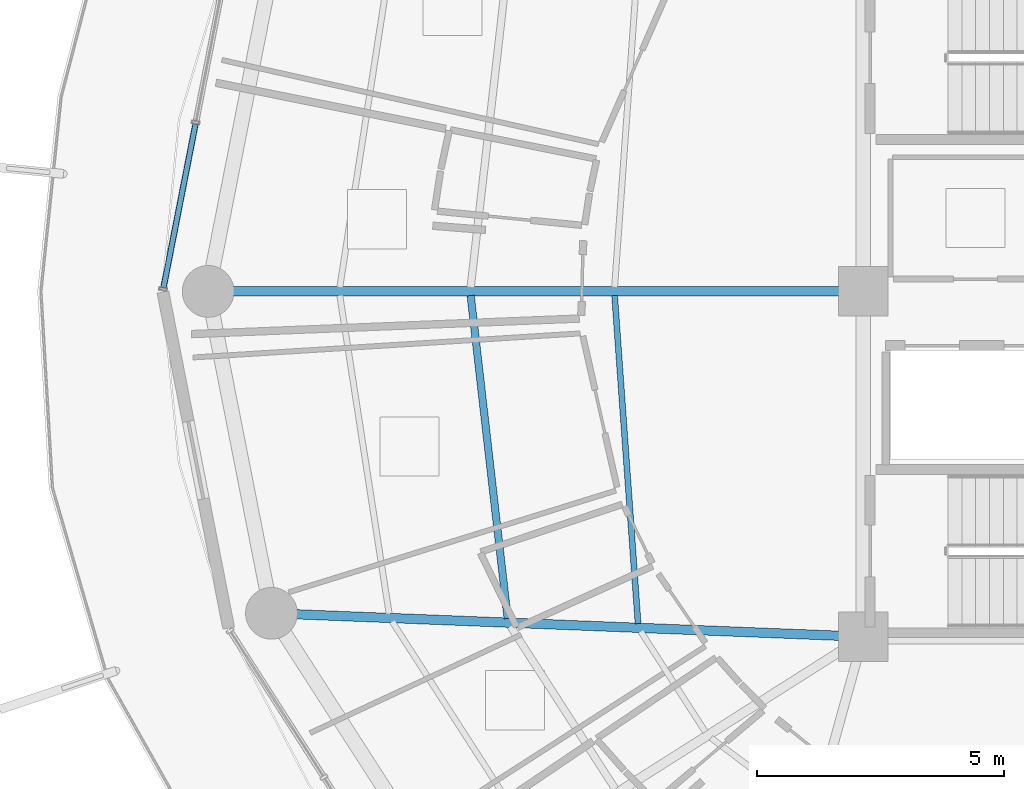
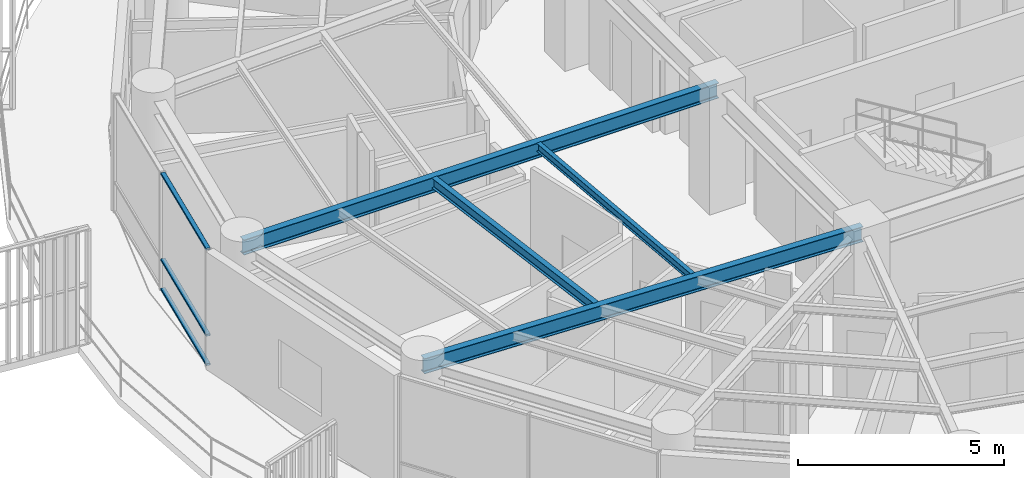
# One storey, part 7 of 31: 4 beams, 3 members, 1 element without a shape of its own.
"""IFC4 building model written with IfcOpenShell, lengths in metres."""

import ifcopenshell
import ifcopenshell.guid

model = None  # the IFC model being written
_history = None  # IfcOwnerHistory: only IFC2X3 demands one
_inside = {}  # id of a spatial element -> (the spatial element, [elements in it])
_under = {}  # id of a project, library or spatial element -> (it, [spatial elements below it])
_declared = {}  # id of a project -> (the project, [libraries it declares])
_typed = {}  # id of a type object -> (the type object, [elements of that type])
_made_of = {}  # id of a material, layer set ... -> (it, [elements and type objects made of it])


def new_model(schema):
    """Start an empty IFC model of exactly this schema.

    Asked for "IFC4X3", IfcOpenShell would pick the latest addendum, in which some entities
    have other attributes; the version numbers below select the first issue.
    IFC2X3 requires an IfcOwnerHistory on every rooted entity: one is made here for all.
    """
    global model, _history
    if schema == "IFC4X3":
        model = ifcopenshell.file(schema_version=(4, 3, 0, 0))
    else:
        model = ifcopenshell.file(schema=schema)
    _inside.clear()
    _under.clear()
    _declared.clear()
    _typed.clear()
    _made_of.clear()
    _history = None
    if model.schema == "IFC2X3":
        org = make("IfcOrganization", Name="unknown")
        user = make(
            "IfcPersonAndOrganization",
            ThePerson=make("IfcPerson", FamilyName="unknown"),
            TheOrganization=org,
        )
        app = make(
            "IfcApplication",
            ApplicationDeveloper=org,
            Version="unknown",
            ApplicationFullName="unknown",
            ApplicationIdentifier="unknown",
        )
        _history = make(
            "IfcOwnerHistory",
            OwningUser=user,
            OwningApplication=app,
            ChangeAction="ADDED",
            CreationDate=0,
        )
    return model


def make(cls, **values):
    """One entity of the class cls with the attributes given. An attribute that is None is left unset."""
    return model.create_entity(
        cls, **{name: value for name, value in values.items() if value is not None}
    )


def rooted(cls, **values):
    """An entity with a GlobalId (a new one), such as an element, a storey or a relation."""
    return make(cls, GlobalId=ifcopenshell.guid.new(), OwnerHistory=_history, **values)


def si_unit(unit_type, name, prefix=None):
    """IfcSIUnit, for example si_unit("LENGTHUNIT", "METRE", prefix="MILLI")."""
    return make("IfcSIUnit", UnitType=unit_type, Prefix=prefix, Name=name)


def assignment(units):
    """IfcUnitAssignment: the units of a project."""
    return None if units is None else make("IfcUnitAssignment", Units=units)


def point(xyz):
    """IfcCartesianPoint."""
    return None if xyz is None else make("IfcCartesianPoint", Coordinates=xyz)


def direction(xyz):
    """IfcDirection."""
    return None if xyz is None else make("IfcDirection", DirectionRatios=xyz)


def frame(location, z_axis=None, x_axis=None):
    """IfcAxis2Placement3D, a coordinate frame: its origin and axes. An axis left out is left unset."""
    return make(
        "IfcAxis2Placement3D",
        Location=point(location),
        Axis=direction(z_axis),
        RefDirection=direction(x_axis),
    )


def frame_2d(location, x_axis=None):
    """IfcAxis2Placement2D, a coordinate frame in the plane: its origin and x axis."""
    return make(
        "IfcAxis2Placement2D", Location=point(location), RefDirection=direction(x_axis)
    )


def origin():
    """The frame at (0, 0, 0) with its axes left unset."""
    return frame((0.0, 0.0, 0.0))


def origin_2d():
    """The frame at (0, 0) in the plane with its x axis left unset."""
    return frame_2d((0.0, 0.0))


def place(relative_to, where):
    """IfcLocalPlacement: puts the frame where relative to a parent placement (None: the world)."""
    return make(
        "IfcLocalPlacement", PlacementRelTo=relative_to, RelativePlacement=where
    )


def context(
    kind, dimensions, precision=None, world=None, true_north=None, identifier=None
):
    """IfcGeometricRepresentationContext, for example the 3D "Model" context."""
    return make(
        "IfcGeometricRepresentationContext",
        ContextIdentifier=identifier,
        ContextType=kind,
        CoordinateSpaceDimension=dimensions,
        Precision=precision,
        WorldCoordinateSystem=world,
        TrueNorth=true_north,
    )


def subcontext(parent, identifier, kind, view, scale=None):
    """IfcGeometricRepresentationSubContext, for example "Body" below "Model"."""
    return make(
        "IfcGeometricRepresentationSubContext",
        ContextIdentifier=identifier,
        ContextType=kind,
        ParentContext=parent,
        TargetScale=scale,
        TargetView=view,
    )


def project(units=None, contexts=None):
    """IfcProject with its units and contexts."""
    return rooted(
        "IfcProject",
        Name="project",
        RepresentationContexts=contexts,
        UnitsInContext=assignment(units),
    )


def spatial(cls, under=None, at=None, **own):
    """A site, building, storey or space (cls), placed at a placement, below another one or the project."""
    s = rooted(cls, ObjectPlacement=at, **own)
    if under is not None:
        _under.setdefault(under.id(), (under, []))[1].append(s)
    return s


def profile(cls, at=None, kind="AREA", **sizes):
    """A parametric profile (cls). Its sizes go by their IFC names, for example OverallWidth=200.0."""
    return make(cls, ProfileType=kind, Position=at, **sizes)


def hollow_rectangle(**sizes):
    """IfcRectangleHollowProfileDef."""
    return profile("IfcRectangleHollowProfileDef", **sizes)


def i_section(**sizes):
    """IfcIShapeProfileDef."""
    return profile("IfcIShapeProfileDef", **sizes)


def extrude(swept, where, along, depth):
    """IfcExtrudedAreaSolid: the profile swept, set in the frame where, extruded along a direction by depth."""
    return make(
        "IfcExtrudedAreaSolid",
        SweptArea=swept,
        Position=where,
        ExtrudedDirection=direction(along),
        Depth=depth,
    )


def shape(context_of_items, identifier, shape_type, items):
    """IfcShapeRepresentation: the items that make up one representation, for example the "Body"."""
    return make(
        "IfcShapeRepresentation",
        ContextOfItems=context_of_items,
        RepresentationIdentifier=identifier,
        RepresentationType=shape_type,
        Items=items,
    )


def material(Name=None, Category=None):
    """IfcMaterial."""
    return make("IfcMaterial", Name=Name, Category=Category)


def layer(
    of_material, thickness, ventilated=None, Name=None, Category=None, Priority=None
):
    """IfcMaterialLayer: one layer of a wall or slab, of a material (None: an air gap)."""
    return make(
        "IfcMaterialLayer",
        Material=of_material,
        LayerThickness=thickness,
        IsVentilated=ventilated,
        Name=Name,
        Category=Category,
        Priority=Priority,
    )


def layer_set(layers, Name=None):
    """IfcMaterialLayerSet."""
    return make("IfcMaterialLayerSet", MaterialLayers=layers, LayerSetName=Name)


def material_profile(
    of_material, cross_section, Name=None, Category=None, Priority=None
):
    """IfcMaterialProfile: a cross section and its material."""
    return make(
        "IfcMaterialProfile",
        Name=Name,
        Material=of_material,
        Profile=cross_section,
        Priority=Priority,
        Category=Category,
    )


def profile_set(profiles, Name=None, composite=None):
    """IfcMaterialProfileSet."""
    return make(
        "IfcMaterialProfileSet",
        Name=Name,
        MaterialProfiles=profiles,
        CompositeProfile=composite,
    )


def made_of(thing, what):
    """Note that an element or type object is made of a material, layer set ...; save() writes the relation."""
    if what is not None:
        _made_of.setdefault(what.id(), (what, []))[1].append(thing)
    return thing


def type_object(cls, material=None, **own):
    """A type object (cls), such as IfcWallType, which elements share."""
    return made_of(rooted(cls, **own), material)


def element(
    cls,
    number,
    at=None,
    inside=None,
    cuts=None,
    type_object=None,
    material=None,
    context=None,
    identifier="Body",
    shape_type=None,
    held_by="IfcProductDefinitionShape",
    body=None,
    shapes=None,
    **own,
):
    """One element of the class cls, such as IfcWall. Its Tag is "e" and its number.

    at: its placement. inside: the storey or other place that contains it. cuts: it is an
    opening in that element (IfcRelVoidsElement). A single representation is given by context,
    identifier, shape_type and body (its items); several are given by shapes. held_by: the class
    of the entity that holds the representations. save() writes the other relations.
    """
    e = rooted(cls, Tag="e%d" % number, ObjectPlacement=at, **own)
    if body is not None:
        shapes = [shape(context, identifier, shape_type, body)]
    if shapes is not None:
        e.Representation = make(held_by, Representations=shapes)
    if inside is not None:
        _inside.setdefault(inside.id(), (inside, []))[1].append(e)
    if cuts is not None:
        rooted(
            "IfcRelVoidsElement", RelatingBuildingElement=cuts, RelatedOpeningElement=e
        )
    if type_object is not None:
        _typed.setdefault(type_object.id(), (type_object, []))[1].append(e)
    return made_of(e, material)


def aggregate(whole, parts):
    """IfcRelAggregates: a whole, such as a stair, and the parts it consists of."""
    return rooted("IfcRelAggregates", RelatingObject=whole, RelatedObjects=parts)


def save(model, path):
    """Write the relations noted so far, then the file.

    IfcRelAggregates (storeys below a building ...), IfcRelContainedInSpatialStructure (elements
    in a storey), IfcRelDefinesByType, IfcRelAssociatesMaterial and IfcRelDeclares: one each for
    every whole, place, type object, material and project.
    """
    for whole, parts in _under.values():
        aggregate(whole, parts)
    for where, things in _inside.values():
        rooted(
            "IfcRelContainedInSpatialStructure",
            RelatedElements=things,
            RelatingStructure=where,
        )
    for kind, things in _typed.values():
        rooted("IfcRelDefinesByType", RelatedObjects=things, RelatingType=kind)
    for what, things in _made_of.values():
        rooted("IfcRelAssociatesMaterial", RelatedObjects=things, RelatingMaterial=what)
    for by, libraries in _declared.values():
        rooted("IfcRelDeclares", RelatingContext=by, RelatedDefinitions=libraries)
    model.write(path)


model = new_model("IFC4")

# Units and contexts
model_context = context("Model", 3, precision=1e-05, world=origin(), true_north=direction((0.0, 1.0)))
body_context = subcontext(model_context, "Body", "Model", "MODEL_VIEW")
ifc_project = project(units=[si_unit("LENGTHUNIT", "METRE"), si_unit("AREAUNIT", "SQUARE_METRE"), si_unit("VOLUMEUNIT", "CUBIC_METRE"), si_unit("PLANEANGLEUNIT", "RADIAN"), si_unit("MASSUNIT", "GRAM", prefix="KILO")], contexts=[model_context])

# Site, building, storey
site_placement = place(None, origin())
site = spatial("IfcSite", under=ifc_project, at=site_placement, CompositionType="ELEMENT")
building_placement = place(site_placement, origin())
building = spatial("IfcBuilding", under=site, at=building_placement, Name="Kelanora Arch Commons", CompositionType="ELEMENT")
storey_placement = place(building_placement, frame((0.0, 0.0, 230.699951171875)))
storey = spatial("IfcBuildingStorey", under=building, at=storey_placement, Name="L59", CompositionType="ELEMENT", Elevation=230.699951171875)

# Beams
ifc_material_1 = material(Name="Steel S355", Category="steel")
ifc_material_profile_1 = material_profile(ifc_material_1, i_section(OverallWidth=0.14990234375, OverallDepth=0.300048828125, WebThickness=0.007080078125, FlangeThickness=0.0107421875, FilletRadius=0.014892578125, at=origin_2d()), Name="IPE300")
ifc_profile_set_1 = profile_set([ifc_material_profile_1], Name="Steel S355")
beam_type_1 = type_object("IfcBeamType", Name="BM-JST-01", PredefinedType="JOIST", material=ifc_profile_set_1)
beam_1_placement = place(storey_placement, frame((58.041748046875, 57.91552734375, 3.340087890625), z_axis=(0.113891408177, -0.993493204377, 0.0), x_axis=(0.993493204377, 0.113891408177, 0.0)))
element("IfcBeam", 1, at=beam_1_placement, inside=storey, type_object=beam_type_1, Name="Secondary Chord Joist BJB-18 L59", PredefinedType="JOIST", context=body_context, shape_type="SweptSolid", body=[
    extrude(i_section(OverallWidth=0.14990234375, OverallDepth=0.300048828125, WebThickness=0.007080078125, FlangeThickness=0.0107421875, FilletRadius=0.014892578125, at=origin_2d()), origin(), (0.0, 0.0, 1.0), 6.589599609375),
])
ifc_material_profile_2 = material_profile(ifc_material_1, i_section(OverallWidth=0.1201171875, OverallDepth=0.239990234375, WebThickness=0.006103515625, FlangeThickness=0.009765625, FilletRadius=0.014892578125, at=origin_2d()), Name="IPE240")
ifc_profile_set_2 = profile_set([ifc_material_profile_2], Name="Steel S355")
beam_type_2 = type_object("IfcBeamType", Name="BM-JST-02", PredefinedType="JOIST", material=ifc_profile_set_2)
beam_2_placement = place(storey_placement, frame((60.959716796875, 57.915283203125, 3.3701171875), z_axis=(0.07133032136, -0.997452748382, 0.0), x_axis=(0.997452748382, 0.07133032136, 0.0)))
element("IfcBeam", 2, at=beam_2_placement, inside=storey, type_object=beam_type_2, Name="Secondary Chord Joist BJA-18 L59", PredefinedType="JOIST", context=body_context, shape_type="SweptSolid", body=[
    extrude(i_section(OverallWidth=0.1201171875, OverallDepth=0.239990234375, WebThickness=0.006103515625, FlangeThickness=0.009765625, FilletRadius=0.014892578125, at=origin_2d()), origin(), (0.0, 0.0, 1.0), 6.66748046875),
])
ifc_material_profile_3 = material_profile(ifc_material_1, i_section(OverallWidth=0.18994140625, OverallDepth=0.449951171875, WebThickness=0.009521484375, FlangeThickness=0.0146484375, FilletRadius=0.02099609375, at=origin_2d()), Name="IPE450")
ifc_profile_set_3 = profile_set([ifc_material_profile_3], Name="Steel S355")
beam_type_3 = type_object("IfcBeamType", Name="BM-RAD-Z4", PredefinedType="BEAM", material=ifc_profile_set_3)
beam_3_placement = place(storey_placement, frame((66.0, 58.0, 3.26513671875), z_axis=(-1.0, 0.0, 0.0), x_axis=(0.0, -1.0, 0.0)))
element("IfcBeam", 3, at=beam_3_placement, inside=storey, type_object=beam_type_3, Name="Radial Floor Girder BR-18 L59", PredefinedType="BEAM", context=body_context, shape_type="SweptSolid", body=[
    extrude(i_section(OverallWidth=0.18994140625, OverallDepth=0.449951171875, WebThickness=0.009521484375, FlangeThickness=0.0146484375, FilletRadius=0.02099609375, at=origin_2d()), origin(), (0.0, 0.0, 1.0), 13.280029296875),
])
beam_4_placement = place(storey_placement, frame((66.0, 51.0, 3.26513671875), z_axis=(-0.999219142585, 0.03951082246, 0.0), x_axis=(-0.03951082246, -0.999219142585, 0.0)))
element("IfcBeam", 4, at=beam_4_placement, inside=storey, type_object=beam_type_3, Name="Radial Floor Girder BR-20 L59", PredefinedType="BEAM", context=body_context, shape_type="SweptSolid", body=[
    extrude(i_section(OverallWidth=0.18994140625, OverallDepth=0.449951171875, WebThickness=0.009521484375, FlangeThickness=0.0146484375, FilletRadius=0.02099609375, at=origin_2d()), origin(), (0.0, 0.0, 1.0), 12.005859375),
])

# Curtain wall, members
ifc_material_2 = material(Name="Terracotta ceramic-fritted low-E glass and aluminium", Category="masonry")
ifc_layer = layer(ifc_material_2, 0.175048828125)
ifc_layer_set = layer_set([ifc_layer], Name="Terracotta ceramic-fritted low-E glass and aluminium")
curtain_wall_type = type_object("IfcCurtainWallType", Name="CW-SYS-02", PredefinedType="NOTDEFINED", material=ifc_layer_set)
curtain_wall_placement = place(storey_placement, origin())
curtain_wall = element("IfcCurtainWall", 5, at=curtain_wall_placement, inside=storey, type_object=curtain_wall_type, Name="Unitised Curtain Wall L59-B08", PredefinedType="NOTDEFINED")
ifc_material_3 = material(Name="Powder-coated aluminium terracotta", Category="masonry")
ifc_material_profile_4 = material_profile(ifc_material_3, hollow_rectangle(XDim=0.1201171875, YDim=0.06005859375, WallThickness=0.0048828125, InnerFilletRadius=0.0048828125, OuterFilletRadius=0.010009765625, at=origin_2d()), Name="CWT120x60")
ifc_profile_set_4 = profile_set([ifc_material_profile_4], Name="Powder-coated aluminium terracotta")
member_type = type_object("IfcMemberType", Name="CWT-STD", PredefinedType="USERDEFINED", material=ifc_profile_set_4)
member_1_placement = place(storey_placement, frame((52.463623046875, 61.390869140625, 0.030029296875), z_axis=(-0.192044874899, -0.981386145218, 0.0), x_axis=(0.981386145218, -0.192044874899, 0.0)))
member_1 = element("IfcMember", 6, at=member_1_placement, type_object=member_type, Name="CW-02 transom 2.1", ObjectType="TRANSOM", PredefinedType="USERDEFINED", context=body_context, shape_type="SweptSolid", body=[
    extrude(hollow_rectangle(XDim=0.1201171875, YDim=0.06005859375, WallThickness=0.0048828125, InnerFilletRadius=0.0048828125, OuterFilletRadius=0.010009765625, at=origin_2d()), origin(), (0.0, 0.0, 1.0), 3.38037109375),
])
member_2_placement = place(storey_placement, frame((52.463623046875, 61.390869140625, 0.900146484375), z_axis=(-0.192044874899, -0.981386145218, 0.0), x_axis=(0.981386145218, -0.192044874899, 0.0)))
member_2 = element("IfcMember", 7, at=member_2_placement, type_object=member_type, Name="CW-02 transom 2.2", ObjectType="TRANSOM", PredefinedType="USERDEFINED", context=body_context, shape_type="SweptSolid", body=[
    extrude(hollow_rectangle(XDim=0.1201171875, YDim=0.06005859375, WallThickness=0.0048828125, InnerFilletRadius=0.0048828125, OuterFilletRadius=0.010009765625, at=origin_2d()), origin(), (0.0, 0.0, 1.0), 3.38037109375),
])
member_3_placement = place(storey_placement, frame((52.463623046875, 61.390869140625, 3.445068359375), z_axis=(-0.192044874899, -0.981386145218, 0.0), x_axis=(0.981386145218, -0.192044874899, 0.0)))
member_3 = element("IfcMember", 8, at=member_3_placement, type_object=member_type, Name="CW-02 transom 2.3", ObjectType="TRANSOM", PredefinedType="USERDEFINED", context=body_context, shape_type="SweptSolid", body=[
    extrude(hollow_rectangle(XDim=0.1201171875, YDim=0.06005859375, WallThickness=0.0048828125, InnerFilletRadius=0.0048828125, OuterFilletRadius=0.010009765625, at=origin_2d()), origin(), (0.0, 0.0, 1.0), 3.38037109375),
])
aggregate(curtain_wall, [member_1, member_2, member_3])

save(model, "model.ifc")
